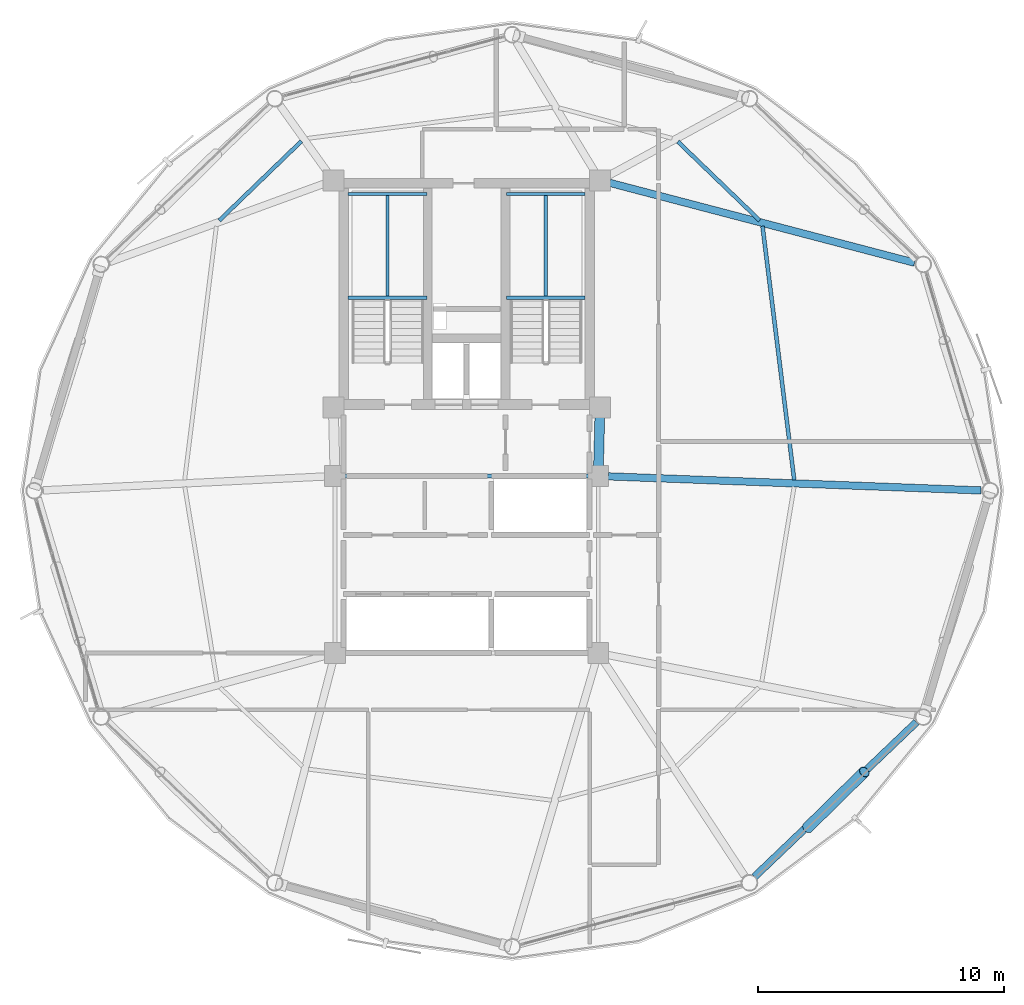
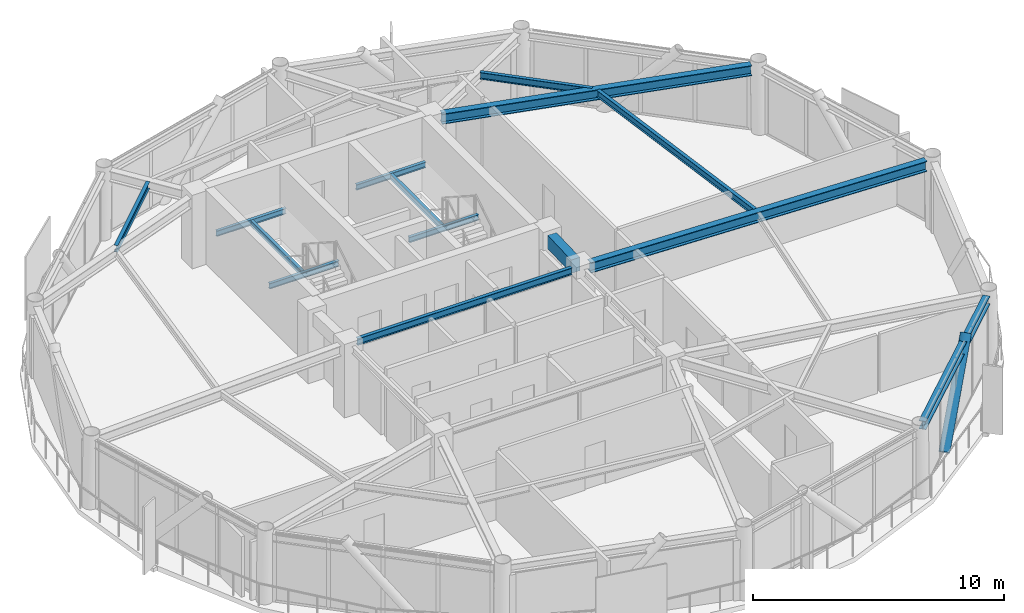
# One storey, part 14 of 28: 14 beams, 1 member.
"""IFC4 building model written with IfcOpenShell, lengths in metres."""

from ifc_helpers import new_model, si_unit, direction, frame, origin, origin_2d, place, context, subcontext, project, spatial, rectangle, hollow_circle, i_section, extrude, material, material_profile, profile_set, type_object, element, save


model = new_model("IFC4")

# Units and contexts
model_context = context("Model", 3, precision=1e-05, world=origin(), true_north=direction((0.0, 1.0)))
body_context = subcontext(model_context, "Body", "Model", "MODEL_VIEW")
ifc_project = project(units=[si_unit("LENGTHUNIT", "METRE"), si_unit("AREAUNIT", "SQUARE_METRE"), si_unit("VOLUMEUNIT", "CUBIC_METRE"), si_unit("PLANEANGLEUNIT", "RADIAN"), si_unit("MASSUNIT", "GRAM", prefix="KILO")], contexts=[model_context])

# Site, building, storey
site_placement = place(None, origin())
site = spatial("IfcSite", under=ifc_project, at=site_placement, CompositionType="ELEMENT")
building_placement = place(site_placement, origin())
building = spatial("IfcBuilding", under=site, at=building_placement, Name="Varnakorn Sky Granary", CompositionType="ELEMENT")
storey_placement = place(building_placement, frame((0.0, 0.0, 196.800048828125)))
storey = spatial("IfcBuildingStorey", under=building, at=storey_placement, Name="L49", CompositionType="ELEMENT", Elevation=196.800048828125)

# Beams
ifc_material_1 = material(Name="Concrete C50/60", Category="concrete")
ifc_material_profile_1 = material_profile(ifc_material_1, rectangle(XDim=0.39990234375, YDim=0.64990234375, at=origin_2d()), Name="RC 400x650")
ifc_profile_set_1 = profile_set([ifc_material_profile_1], Name="Concrete C50/60")
beam_type_1 = type_object("IfcBeamType", Name="BM-LIN-650", PredefinedType="LINTEL", material=ifc_profile_set_1)
beam_1_placement = place(storey_placement, frame((8.409912109375, 2.97509765625, 3.034912109375), z_axis=(-0.025270737467, -0.99968064392, 0.0), x_axis=(0.99968064392, -0.025270737467, 0.0)))
element("IfcBeam", 1, at=beam_1_placement, inside=storey, type_object=beam_type_1, Name="Core Spine Framing Beam 2 L49", PredefinedType="LINTEL", context=body_context, shape_type="SweptSolid", body=[
    extrude(rectangle(XDim=0.39990234375, YDim=0.64990234375, at=origin_2d()), origin(), (0.0, 0.0, 1.0), 1.970947265625),
])
ifc_material_2 = material(Name="Steel S355JR", Category="steel")
ifc_material_profile_2 = material_profile(ifc_material_2, i_section(OverallWidth=0.135009765625, OverallDepth=0.27001953125, WebThickness=0.006591796875, FlangeThickness=0.01025390625, at=origin_2d()), Name="IPE 270")
ifc_profile_set_2 = profile_set([ifc_material_profile_2], Name="Steel S355JR")
beam_type_2 = type_object("IfcBeamType", Name="BM-LND-270", PredefinedType="BEAM", material=ifc_profile_set_2)
for number, where, z_axis, x_axis, name in (
    (2, (-1.820068359375, 7.840087890625, 1.46484375), (1.0, 0.0, 0.0), (0.0, 1.0, 0.0), "Stair ST-1 Landing Trimmer Beam A L49-1"),
    (3, (-1.820068359375, 12.06005859375, 1.46484375), (1.0, 0.0, 0.0), (0.0, 1.0, 0.0), "Stair ST-1 Landing Trimmer Beam B L49-1"),
):
    element("IfcBeam", number, at=place(storey_placement, frame(where, z_axis=z_axis, x_axis=x_axis)), inside=storey, type_object=beam_type_2, Name=name, PredefinedType="BEAM", context=body_context, shape_type="SweptSolid", body=[
        extrude(i_section(OverallWidth=0.135009765625, OverallDepth=0.27001953125, WebThickness=0.006591796875, FlangeThickness=0.01025390625, at=origin_2d()), origin(), (0.0, 0.0, 1.0), 3.199951171875),
    ])
beam_2_placement = place(storey_placement, frame((-0.219970703125, 7.840087890625, 1.46484375), z_axis=(0.0, 1.0, 0.0), x_axis=(-1.0, 0.0, 0.0)))
element("IfcBeam", 4, at=beam_2_placement, inside=storey, type_object=beam_type_2, Name="Stair ST-1 Landing Cross Beam C L49-1", PredefinedType="BEAM", context=body_context, shape_type="SweptSolid", body=[
    extrude(i_section(OverallWidth=0.135009765625, OverallDepth=0.27001953125, WebThickness=0.006591796875, FlangeThickness=0.01025390625, at=origin_2d()), origin(), (0.0, 0.0, 1.0), 4.219970703125),
])
for number, where, z_axis, x_axis, name in (
    (5, (4.6201171875, 7.840087890625, 1.46484375), (1.0, 0.0, 0.0), (0.0, 1.0, 0.0), "Stair ST-2 Landing Trimmer Beam A L49-1"),
    (6, (4.6201171875, 12.06005859375, 1.46484375), (1.0, 0.0, 0.0), (0.0, 1.0, 0.0), "Stair ST-2 Landing Trimmer Beam B L49-1"),
):
    element("IfcBeam", number, at=place(storey_placement, frame(where, z_axis=z_axis, x_axis=x_axis)), inside=storey, type_object=beam_type_2, Name=name, PredefinedType="BEAM", context=body_context, shape_type="SweptSolid", body=[
        extrude(i_section(OverallWidth=0.135009765625, OverallDepth=0.27001953125, WebThickness=0.006591796875, FlangeThickness=0.01025390625, at=origin_2d()), origin(), (0.0, 0.0, 1.0), 3.199951171875),
    ])
beam_3_placement = place(storey_placement, frame((6.219970703125, 7.840087890625, 1.46484375), z_axis=(0.0, 1.0, 0.0), x_axis=(-1.0, 0.0, 0.0)))
element("IfcBeam", 7, at=beam_3_placement, inside=storey, type_object=beam_type_2, Name="Stair ST-2 Landing Cross Beam C L49-1", PredefinedType="BEAM", context=body_context, shape_type="SweptSolid", body=[
    extrude(i_section(OverallWidth=0.135009765625, OverallDepth=0.27001953125, WebThickness=0.006591796875, FlangeThickness=0.01025390625, at=origin_2d()), origin(), (0.0, 0.0, 1.0), 4.219970703125),
])
ifc_material_profile_3 = material_profile(ifc_material_2, i_section(OverallWidth=0.300048828125, OverallDepth=0.5, WebThickness=0.014404296875, FlangeThickness=0.028076171875, at=origin_2d()), Name="HE 500 B")
ifc_profile_set_3 = profile_set([ifc_material_profile_3], Name="Steel S355JR")
beam_type_3 = type_object("IfcBeamType", Name="BM-RAD-Z4", PredefinedType="BEAM", material=ifc_profile_set_3)
beam_4_placement = place(storey_placement, frame((8.754638671875, 0.584716796875, 3.10986328125), z_axis=(0.999286746723, -0.037762386363, 0.0), x_axis=(0.037762386363, 0.999286746723, 0.0)))
element("IfcBeam", 8, at=beam_4_placement, inside=storey, type_object=beam_type_3, Name="Radial Floor Girder RG01 L49", PredefinedType="BEAM", context=body_context, shape_type="SweptSolid", body=[
    extrude(i_section(OverallWidth=0.300048828125, OverallDepth=0.5, WebThickness=0.014404296875, FlangeThickness=0.028076171875, at=origin_2d()), origin(), (0.0, 0.0, 1.0), 15.167236328125),
])
beam_5_placement = place(storey_placement, frame((8.811767578125, 12.517333984375, 3.10986328125), z_axis=(0.967338307471, -0.253488853599, 0.0), x_axis=(0.253488853599, 0.967338307471, 0.0)))
element("IfcBeam", 9, at=beam_5_placement, inside=storey, type_object=beam_type_3, Name="Radial Floor Girder RG02 L49", PredefinedType="BEAM", context=body_context, shape_type="SweptSolid", body=[
    extrude(i_section(OverallWidth=0.300048828125, OverallDepth=0.5, WebThickness=0.014404296875, FlangeThickness=0.028076171875, at=origin_2d()), origin(), (0.0, 0.0, 1.0), 12.815185546875),
])
ifc_material_profile_4 = material_profile(ifc_material_2, i_section(OverallWidth=0.159912109375, OverallDepth=0.330078125, WebThickness=0.007568359375, FlangeThickness=0.011474609375, at=origin_2d()), Name="IPE 330")
ifc_profile_set_4 = profile_set([ifc_material_profile_4], Name="Steel S355JR")
beam_type_4 = type_object("IfcBeamType", Name="BM-SEC-Z4", PredefinedType="BEAM", material=ifc_profile_set_4)
beam_6_placement = place(storey_placement, frame((16.315673828125, 0.437255859375, 3.195068359375), z_axis=(-0.123890229594, 0.992295929152, 0.0), x_axis=(-0.992295929152, -0.123890229594, 0.0)))
element("IfcBeam", 10, at=beam_6_placement, inside=storey, type_object=beam_type_4, Name="Secondary Floor Chord Beam MSB01 L49", PredefinedType="BEAM", context=body_context, shape_type="SweptSolid", body=[
    extrude(i_section(OverallWidth=0.159912109375, OverallDepth=0.330078125, WebThickness=0.007568359375, FlangeThickness=0.011474609375, at=origin_2d()), origin(), (0.0, 0.0, 1.0), 10.39697265625),
])
beam_7_placement = place(storey_placement, frame((14.9091796875, 10.990234375, 3.195068359375), z_axis=(-0.720130272932, 0.693838878996, 0.0), x_axis=(-0.693838878996, -0.720130272932, 0.0)))
element("IfcBeam", 11, at=beam_7_placement, inside=storey, type_object=beam_type_4, Name="Secondary Floor Chord Beam MSB02 L49", PredefinedType="BEAM", context=body_context, shape_type="SweptSolid", body=[
    extrude(i_section(OverallWidth=0.159912109375, OverallDepth=0.330078125, WebThickness=0.007568359375, FlangeThickness=0.011474609375, at=origin_2d()), origin(), (0.0, 0.0, 1.0), 4.615234375),
])
beam_8_placement = place(storey_placement, frame((-3.72216796875, 14.207275390625, 3.195068359375), z_axis=(-0.719396924682, -0.694599211602, 0.0), x_axis=(0.694599211602, -0.719396924682, 0.0)))
element("IfcBeam", 12, at=beam_8_placement, inside=storey, type_object=beam_type_4, Name="Secondary Floor Chord Beam MSB05 L49", PredefinedType="BEAM", context=body_context, shape_type="SweptSolid", body=[
    extrude(i_section(OverallWidth=0.159912109375, OverallDepth=0.330078125, WebThickness=0.007568359375, FlangeThickness=0.011474609375, at=origin_2d()), origin(), (0.0, 0.0, 1.0), 4.63720703125),
])
beam_9_placement = place(storey_placement, frame((-1.945068359375, 0.60009765625, 3.195068359375), z_axis=(1.0, 0.0, 0.0), x_axis=(0.0, 1.0, 0.0)))
element("IfcBeam", 13, at=beam_9_placement, inside=storey, type_object=beam_type_4, Name="Core Spine Framing Beam 5 L49", PredefinedType="BEAM", context=body_context, shape_type="SweptSolid", body=[
    extrude(i_section(OverallWidth=0.159912109375, OverallDepth=0.330078125, WebThickness=0.007568359375, FlangeThickness=0.011474609375, at=origin_2d()), origin(), (0.0, 0.0, 1.0), 9.89013671875),
])
ifc_material_profile_5 = material_profile(ifc_material_2, i_section(OverallWidth=0.300048828125, OverallDepth=0.39990234375, WebThickness=0.013427734375, FlangeThickness=0.02392578125, at=origin_2d()), Name="HE 400 B")
ifc_profile_set_5 = profile_set([ifc_material_profile_5], Name="Steel S355JR")
beam_type_5 = type_object("IfcBeamType", Name="BM-SPD-Z4", PredefinedType="SPANDREL", material=ifc_profile_set_5)
beam_10_placement = place(storey_placement, frame((14.6982421875, -15.6982421875, 3.159912109375), z_axis=(0.723135849748, 0.69070582943, 0.0), x_axis=(-0.69070582943, 0.723135849748, 0.0)))
element("IfcBeam", 14, at=beam_10_placement, inside=storey, type_object=beam_type_5, Name="Perimeter Spandrel Ring Beam RB11 L49", PredefinedType="SPANDREL", context=body_context, shape_type="SweptSolid", body=[
    extrude(i_section(OverallWidth=0.300048828125, OverallDepth=0.39990234375, WebThickness=0.013427734375, FlangeThickness=0.02392578125, at=origin_2d()), origin(), (0.0, 0.0, 1.0), 9.109130859375),
])

# Member
ifc_material_3 = material(Name="Steel S460M", Category="steel")
ifc_material_profile_6 = material_profile(ifc_material_3, hollow_circle(Radius=0.228515625, WallThickness=0.01611328125, at=origin_2d()), Name="CHS 457x16")
ifc_profile_set_6 = profile_set([ifc_material_profile_6], Name="Steel S460M")
member_type = type_object("IfcMemberType", Name="MB-DIAG-T3", PredefinedType="BRACE", material=ifc_profile_set_6)
member_placement = place(storey_placement, frame((16.8603515625, -13.698974609375, -0.130126953125), z_axis=(0.474905544768, 0.467159786041, 0.745805911652), x_axis=(-0.701269172447, 0.712896589819, 0.0)))
element("IfcMember", 15, at=member_placement, inside=storey, type_object=member_type, Name="Perimeter CHS Diagrid Brace DG11 L49", PredefinedType="BRACE", context=body_context, shape_type="SweptSolid", body=[
    extrude(hollow_circle(Radius=0.228515625, WallThickness=0.01611328125, at=origin_2d()), origin(), (0.0, 0.0, 1.0), 4.85400390625),
])

save(model, "model.ifc")
